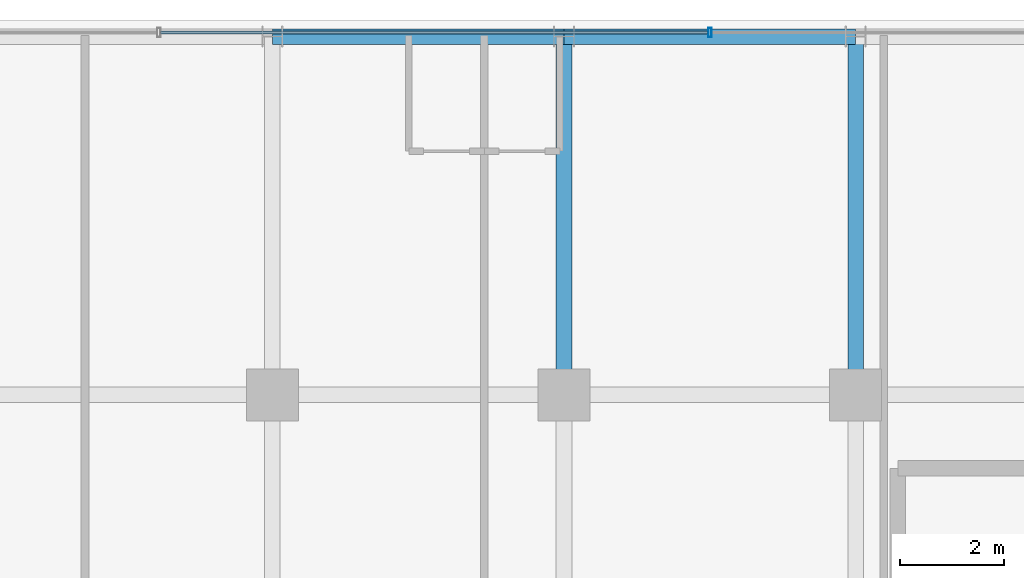
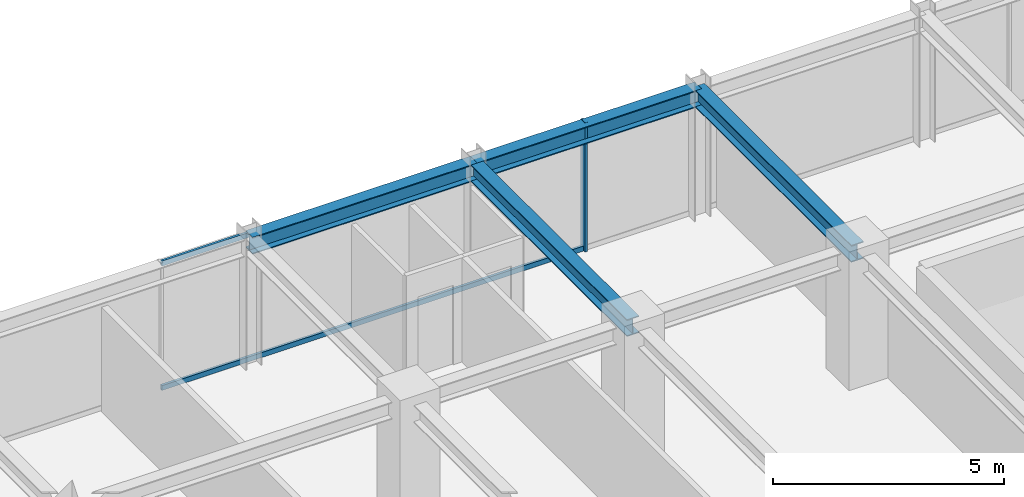
# One storey, part 22 of 35: 4 beams, 3 members, 1 element without a shape of its own.
"""IFC4 building model written with IfcOpenShell, lengths in metres."""

import ifcopenshell
import ifcopenshell.guid

model = None  # the IFC model being written
_history = None  # IfcOwnerHistory: only IFC2X3 demands one
_inside = {}  # id of a spatial element -> (the spatial element, [elements in it])
_under = {}  # id of a project, library or spatial element -> (it, [spatial elements below it])
_declared = {}  # id of a project -> (the project, [libraries it declares])
_typed = {}  # id of a type object -> (the type object, [elements of that type])
_made_of = {}  # id of a material, layer set ... -> (it, [elements and type objects made of it])


def new_model(schema):
    """Start an empty IFC model of exactly this schema.

    Asked for "IFC4X3", IfcOpenShell would pick the latest addendum, in which some entities
    have other attributes; the version numbers below select the first issue.
    IFC2X3 requires an IfcOwnerHistory on every rooted entity: one is made here for all.
    """
    global model, _history
    if schema == "IFC4X3":
        model = ifcopenshell.file(schema_version=(4, 3, 0, 0))
    else:
        model = ifcopenshell.file(schema=schema)
    _inside.clear()
    _under.clear()
    _declared.clear()
    _typed.clear()
    _made_of.clear()
    _history = None
    if model.schema == "IFC2X3":
        org = make("IfcOrganization", Name="unknown")
        user = make(
            "IfcPersonAndOrganization",
            ThePerson=make("IfcPerson", FamilyName="unknown"),
            TheOrganization=org,
        )
        app = make(
            "IfcApplication",
            ApplicationDeveloper=org,
            Version="unknown",
            ApplicationFullName="unknown",
            ApplicationIdentifier="unknown",
        )
        _history = make(
            "IfcOwnerHistory",
            OwningUser=user,
            OwningApplication=app,
            ChangeAction="ADDED",
            CreationDate=0,
        )
    return model


def make(cls, **values):
    """One entity of the class cls with the attributes given. An attribute that is None is left unset."""
    return model.create_entity(
        cls, **{name: value for name, value in values.items() if value is not None}
    )


def rooted(cls, **values):
    """An entity with a GlobalId (a new one), such as an element, a storey or a relation."""
    return make(cls, GlobalId=ifcopenshell.guid.new(), OwnerHistory=_history, **values)


def si_unit(unit_type, name, prefix=None):
    """IfcSIUnit, for example si_unit("LENGTHUNIT", "METRE", prefix="MILLI")."""
    return make("IfcSIUnit", UnitType=unit_type, Prefix=prefix, Name=name)


def assignment(units):
    """IfcUnitAssignment: the units of a project."""
    return None if units is None else make("IfcUnitAssignment", Units=units)


def point(xyz):
    """IfcCartesianPoint."""
    return None if xyz is None else make("IfcCartesianPoint", Coordinates=xyz)


def direction(xyz):
    """IfcDirection."""
    return None if xyz is None else make("IfcDirection", DirectionRatios=xyz)


def frame(location, z_axis=None, x_axis=None):
    """IfcAxis2Placement3D, a coordinate frame: its origin and axes. An axis left out is left unset."""
    return make(
        "IfcAxis2Placement3D",
        Location=point(location),
        Axis=direction(z_axis),
        RefDirection=direction(x_axis),
    )


def frame_2d(location, x_axis=None):
    """IfcAxis2Placement2D, a coordinate frame in the plane: its origin and x axis."""
    return make(
        "IfcAxis2Placement2D", Location=point(location), RefDirection=direction(x_axis)
    )


def origin():
    """The frame at (0, 0, 0) with its axes left unset."""
    return frame((0.0, 0.0, 0.0))


def origin_2d():
    """The frame at (0, 0) in the plane with its x axis left unset."""
    return frame_2d((0.0, 0.0))


def place(relative_to, where):
    """IfcLocalPlacement: puts the frame where relative to a parent placement (None: the world)."""
    return make(
        "IfcLocalPlacement", PlacementRelTo=relative_to, RelativePlacement=where
    )


def context(
    kind, dimensions, precision=None, world=None, true_north=None, identifier=None
):
    """IfcGeometricRepresentationContext, for example the 3D "Model" context."""
    return make(
        "IfcGeometricRepresentationContext",
        ContextIdentifier=identifier,
        ContextType=kind,
        CoordinateSpaceDimension=dimensions,
        Precision=precision,
        WorldCoordinateSystem=world,
        TrueNorth=true_north,
    )


def subcontext(parent, identifier, kind, view, scale=None):
    """IfcGeometricRepresentationSubContext, for example "Body" below "Model"."""
    return make(
        "IfcGeometricRepresentationSubContext",
        ContextIdentifier=identifier,
        ContextType=kind,
        ParentContext=parent,
        TargetScale=scale,
        TargetView=view,
    )


def project(units=None, contexts=None):
    """IfcProject with its units and contexts."""
    return rooted(
        "IfcProject",
        Name="project",
        RepresentationContexts=contexts,
        UnitsInContext=assignment(units),
    )


def spatial(cls, under=None, at=None, **own):
    """A site, building, storey or space (cls), placed at a placement, below another one or the project."""
    s = rooted(cls, ObjectPlacement=at, **own)
    if under is not None:
        _under.setdefault(under.id(), (under, []))[1].append(s)
    return s


def profile(cls, at=None, kind="AREA", **sizes):
    """A parametric profile (cls). Its sizes go by their IFC names, for example OverallWidth=200.0."""
    return make(cls, ProfileType=kind, Position=at, **sizes)


def hollow_rectangle(**sizes):
    """IfcRectangleHollowProfileDef."""
    return profile("IfcRectangleHollowProfileDef", **sizes)


def i_section(**sizes):
    """IfcIShapeProfileDef."""
    return profile("IfcIShapeProfileDef", **sizes)


def extrude(swept, where, along, depth):
    """IfcExtrudedAreaSolid: the profile swept, set in the frame where, extruded along a direction by depth."""
    return make(
        "IfcExtrudedAreaSolid",
        SweptArea=swept,
        Position=where,
        ExtrudedDirection=direction(along),
        Depth=depth,
    )


def shape(context_of_items, identifier, shape_type, items):
    """IfcShapeRepresentation: the items that make up one representation, for example the "Body"."""
    return make(
        "IfcShapeRepresentation",
        ContextOfItems=context_of_items,
        RepresentationIdentifier=identifier,
        RepresentationType=shape_type,
        Items=items,
    )


def source(mapping_origin, context_of_items, identifier, shape_type, items):
    """IfcRepresentationMap: a shape defined once, which mapped items show again and again."""
    return make(
        "IfcRepresentationMap",
        MappingOrigin=mapping_origin,
        MappedRepresentation=shape(context_of_items, identifier, shape_type, items),
    )


def transform(
    local_origin,
    x_axis=None,
    y_axis=None,
    z_axis=None,
    scale=None,
    scale2=None,
    scale3=None,
    uniform=True,
):
    """IfcCartesianTransformationOperator3D, or its non-uniform kind. x_axis, y_axis, z_axis: its Axis1, 2, 3."""
    if uniform:
        return make(
            "IfcCartesianTransformationOperator3D",
            Axis1=direction(x_axis),
            Axis2=direction(y_axis),
            LocalOrigin=point(local_origin),
            Scale=scale,
            Axis3=direction(z_axis),
        )
    return make(
        "IfcCartesianTransformationOperator3DnonUniform",
        Axis1=direction(x_axis),
        Axis2=direction(y_axis),
        LocalOrigin=point(local_origin),
        Scale=scale,
        Axis3=direction(z_axis),
        Scale2=scale2,
        Scale3=scale3,
    )


def mapped(mapping_source, mapping_target):
    """IfcMappedItem: shows the shape of a source again, moved by a transform."""
    return make(
        "IfcMappedItem", MappingSource=mapping_source, MappingTarget=mapping_target
    )


def material(Name=None, Category=None):
    """IfcMaterial."""
    return make("IfcMaterial", Name=Name, Category=Category)


def material_profile(
    of_material, cross_section, Name=None, Category=None, Priority=None
):
    """IfcMaterialProfile: a cross section and its material."""
    return make(
        "IfcMaterialProfile",
        Name=Name,
        Material=of_material,
        Profile=cross_section,
        Priority=Priority,
        Category=Category,
    )


def profile_set(profiles, Name=None, composite=None):
    """IfcMaterialProfileSet."""
    return make(
        "IfcMaterialProfileSet",
        Name=Name,
        MaterialProfiles=profiles,
        CompositeProfile=composite,
    )


def made_of(thing, what):
    """Note that an element or type object is made of a material, layer set ...; save() writes the relation."""
    if what is not None:
        _made_of.setdefault(what.id(), (what, []))[1].append(thing)
    return thing


def type_object(cls, material=None, **own):
    """A type object (cls), such as IfcWallType, which elements share."""
    return made_of(rooted(cls, **own), material)


def element(
    cls,
    number,
    at=None,
    inside=None,
    cuts=None,
    type_object=None,
    material=None,
    context=None,
    identifier="Body",
    shape_type=None,
    held_by="IfcProductDefinitionShape",
    body=None,
    shapes=None,
    **own,
):
    """One element of the class cls, such as IfcWall. Its Tag is "e" and its number.

    at: its placement. inside: the storey or other place that contains it. cuts: it is an
    opening in that element (IfcRelVoidsElement). A single representation is given by context,
    identifier, shape_type and body (its items); several are given by shapes. held_by: the class
    of the entity that holds the representations. save() writes the other relations.
    """
    e = rooted(cls, Tag="e%d" % number, ObjectPlacement=at, **own)
    if body is not None:
        shapes = [shape(context, identifier, shape_type, body)]
    if shapes is not None:
        e.Representation = make(held_by, Representations=shapes)
    if inside is not None:
        _inside.setdefault(inside.id(), (inside, []))[1].append(e)
    if cuts is not None:
        rooted(
            "IfcRelVoidsElement", RelatingBuildingElement=cuts, RelatedOpeningElement=e
        )
    if type_object is not None:
        _typed.setdefault(type_object.id(), (type_object, []))[1].append(e)
    return made_of(e, material)


def aggregate(whole, parts):
    """IfcRelAggregates: a whole, such as a stair, and the parts it consists of."""
    return rooted("IfcRelAggregates", RelatingObject=whole, RelatedObjects=parts)


def save(model, path):
    """Write the relations noted so far, then the file.

    IfcRelAggregates (storeys below a building ...), IfcRelContainedInSpatialStructure (elements
    in a storey), IfcRelDefinesByType, IfcRelAssociatesMaterial and IfcRelDeclares: one each for
    every whole, place, type object, material and project.
    """
    for whole, parts in _under.values():
        aggregate(whole, parts)
    for where, things in _inside.values():
        rooted(
            "IfcRelContainedInSpatialStructure",
            RelatedElements=things,
            RelatingStructure=where,
        )
    for kind, things in _typed.values():
        rooted("IfcRelDefinesByType", RelatedObjects=things, RelatingType=kind)
    for what, things in _made_of.values():
        rooted("IfcRelAssociatesMaterial", RelatedObjects=things, RelatingMaterial=what)
    for by, libraries in _declared.values():
        rooted("IfcRelDeclares", RelatingContext=by, RelatedDefinitions=libraries)
    model.write(path)


model = new_model("IFC4")

# Units and contexts
model_context = context("Model", 3, precision=1e-05, world=origin(), true_north=direction((0.0, 1.0)))
body_context = subcontext(model_context, "Body", "Model", "MODEL_VIEW")
ifc_project = project(units=[si_unit("LENGTHUNIT", "METRE"), si_unit("AREAUNIT", "SQUARE_METRE"), si_unit("VOLUMEUNIT", "CUBIC_METRE"), si_unit("PLANEANGLEUNIT", "RADIAN"), si_unit("MASSUNIT", "GRAM", prefix="KILO")], contexts=[model_context])

# Site, building, storey
site_placement = place(None, origin())
site = spatial("IfcSite", under=ifc_project, at=site_placement, CompositionType="ELEMENT")
building_placement = place(site_placement, origin())
building = spatial("IfcBuilding", under=site, at=building_placement, Name="Nahalor Promenade Grand Hotel", CompositionType="ELEMENT")
storey_placement = place(building_placement, frame((0.0, 0.0, 216.0)))
storey = spatial("IfcBuildingStorey", under=building, at=storey_placement, Name="L55", CompositionType="ELEMENT", Elevation=216.0)

# Beams
ifc_material_1 = material(Name="Steel S355JR", Category="steel")
ifc_material_profile_1 = material_profile(ifc_material_1, i_section(OverallWidth=0.3, OverallDepth=0.45, WebThickness=0.014, FlangeThickness=0.026, at=origin_2d()), Name="HEB 450")
ifc_profile_set_1 = profile_set([ifc_material_profile_1], Name="Steel S355JR")
beam_type_1 = type_object("IfcBeamType", Name="Beam-Spandrel-HEB450", PredefinedType="SPANDREL", material=ifc_profile_set_1)
shared_shape_1 = source(origin(), body_context, "Body", "SweptSolid", [
    extrude(i_section(OverallWidth=0.3, OverallDepth=0.45, WebThickness=0.014, FlangeThickness=0.026, at=origin_2d()), origin(), (0.0, 0.0, 1.0), 5.599853515625),
])
beam_1_placement = place(storey_placement, frame((-8.39990234375, 23.8798828125, 3.18505859375), z_axis=(1.0, 0.0, 0.0), x_axis=(0.0, 1.0, 0.0)))
element("IfcBeam", 1, at=beam_1_placement, inside=storey, type_object=beam_type_1, Name="BM-L55-SP-N-1", PredefinedType="SPANDREL", context=body_context, shape_type="MappedRepresentation", body=[
    mapped(shared_shape_1, transform((0.0, 0.0, 0.0), scale=1.0)),
])
shared_shape_2 = source(origin(), body_context, "Body", "SweptSolid", [
    extrude(i_section(OverallWidth=0.3, OverallDepth=0.45, WebThickness=0.014, FlangeThickness=0.026, at=origin_2d()), origin(), (0.0, 0.0, 1.0), 5.60009765625),
])
beam_2_placement = place(storey_placement, frame((-2.800048828125, 23.8798828125, 3.18505859375), z_axis=(1.0, 0.0, 0.0), x_axis=(0.0, 1.0, 0.0)))
element("IfcBeam", 2, at=beam_2_placement, inside=storey, type_object=beam_type_1, Name="BM-L55-SP-N-2", PredefinedType="SPANDREL", context=body_context, shape_type="MappedRepresentation", body=[
    mapped(shared_shape_2, transform((0.0, 0.0, 0.0), scale=1.0)),
])
ifc_material_profile_2 = material_profile(ifc_material_1, i_section(OverallWidth=0.3, OverallDepth=0.45, WebThickness=0.014, FlangeThickness=0.026, at=origin_2d()), Name="HEB 450")
ifc_profile_set_2 = profile_set([ifc_material_profile_2], Name="Steel S355JR")
beam_type_2 = type_object("IfcBeamType", Name="Beam-Girder-HEB450", PredefinedType="BEAM", material=ifc_profile_set_2)
shared_shape_3 = source(origin(), body_context, "Body", "SweptSolid", [
    extrude(i_section(OverallWidth=0.3, OverallDepth=0.45, WebThickness=0.014, FlangeThickness=0.026, at=origin_2d()), origin(), (0.0, 0.0, 1.0), 6.8798828125),
])
for number, where, z_axis, x_axis, name in (
    (3, (-2.800048828125, 17.0, 3.18505859375), (0.0, 1.0, 0.0), (-1.0, 0.0, 0.0), "BM-L55-GY-2-4"),
    (4, (2.800048828125, 17.0, 3.18505859375), (0.0, 1.0, 0.0), (-1.0, 0.0, 0.0), "BM-L55-GY-3-4"),
):
    element("IfcBeam", number, at=place(storey_placement, frame(where, z_axis=z_axis, x_axis=x_axis)), inside=storey, type_object=beam_type_2, Name=name, PredefinedType="BEAM", context=body_context, shape_type="MappedRepresentation", body=[
        mapped(shared_shape_3, transform((0.0, 0.0, 0.0), scale=1.0)),
    ])

# Curtain wall, members
ifc_material_2 = material(Name="Anodised Bronze Aluminium EN AW-6063 T6", Category="aluminium")
curtain_wall_type = type_object("IfcCurtainWallType", Name="CW2 Typical Hotel Flush Bronze Unitised Curtain Wall", PredefinedType="USERDEFINED", material=ifc_material_2)
curtain_wall_placement = place(storey_placement, origin())
curtain_wall = element("IfcCurtainWall", 5, at=curtain_wall_placement, inside=storey, type_object=curtain_wall_type, Name="L55 Curtain Wall CW-L55-N-1", ObjectType="UNITISED_CURTAIN_WALL", PredefinedType="USERDEFINED")
ifc_material_profile_3 = material_profile(ifc_material_2, hollow_rectangle(XDim=0.065, YDim=0.13, WallThickness=0.004, at=origin_2d()), Name="CWT 65x130x4")
ifc_profile_set_3 = profile_set([ifc_material_profile_3], Name="Anodised Bronze Aluminium EN AW-6063 T6")
member_type_1 = type_object("IfcMemberType", Name="CWT2 Typical Bronze Transom 65x130", PredefinedType="USERDEFINED", material=ifc_profile_set_3)
shared_shape_4 = source(origin(), body_context, "Body", "SweptSolid", [
    extrude(hollow_rectangle(XDim=0.065, YDim=0.13, WallThickness=0.004, at=origin_2d()), origin(), (0.0, 0.0, 1.0), 10.51513671875),
])
member_1_placement = place(storey_placement, frame((-10.547607421875, 23.9599609375, 0.06494140625), z_axis=(1.0, 0.0, 0.0), x_axis=(0.0, 1.0, 0.0)))
member_1 = element("IfcMember", 6, at=member_1_placement, type_object=member_type_1, Name="CW-L55-N-1 Transom 1-0", ObjectType="TRANSOM", PredefinedType="USERDEFINED", context=body_context, shape_type="MappedRepresentation", body=[
    mapped(shared_shape_4, transform((0.0, 0.0, 0.0), scale=1.0)),
])
member_2_placement = place(storey_placement, frame((-10.547607421875, 23.9599609375, 3.344970703125), z_axis=(1.0, 0.0, 0.0), x_axis=(0.0, 1.0, 0.0)))
member_2 = element("IfcMember", 7, at=member_2_placement, type_object=member_type_1, Name="CW-L55-N-1 Transom 1-1", ObjectType="TRANSOM", PredefinedType="USERDEFINED", context=body_context, shape_type="MappedRepresentation", body=[
    mapped(shared_shape_4, transform((0.0, 0.0, 0.0), scale=1.0)),
])
ifc_material_profile_4 = material_profile(ifc_material_2, hollow_rectangle(XDim=0.065, YDim=0.18, WallThickness=0.004, at=origin_2d()), Name="CWM 65x180x4")
ifc_profile_set_4 = profile_set([ifc_material_profile_4], Name="Anodised Bronze Aluminium EN AW-6063 T6")
member_type_2 = type_object("IfcMemberType", Name="CWM2 Typical Bronze Mullion 65x180", PredefinedType="MULLION", material=ifc_profile_set_4)
shared_shape_5 = source(origin(), body_context, "Body", "SweptSolid", [
    extrude(hollow_rectangle(XDim=0.065, YDim=0.18, WallThickness=0.004, at=origin_2d()), origin(), (0.0, 0.0, 1.0), 3.409912109375),
])
member_3_placement = place(storey_placement, frame((0.0, 23.9599609375, 0.0), z_axis=(0.0, 0.0, 1.0), x_axis=(1.0, 0.0, 0.0)))
member_3 = element("IfcMember", 8, at=member_3_placement, type_object=member_type_2, Name="CW-L55-N-1 Mullion 2", PredefinedType="MULLION", context=body_context, shape_type="MappedRepresentation", body=[
    mapped(shared_shape_5, transform((0.0, 0.0, 0.0), scale=1.0)),
])
aggregate(curtain_wall, [member_3, member_1, member_2])

save(model, "model.ifc")
